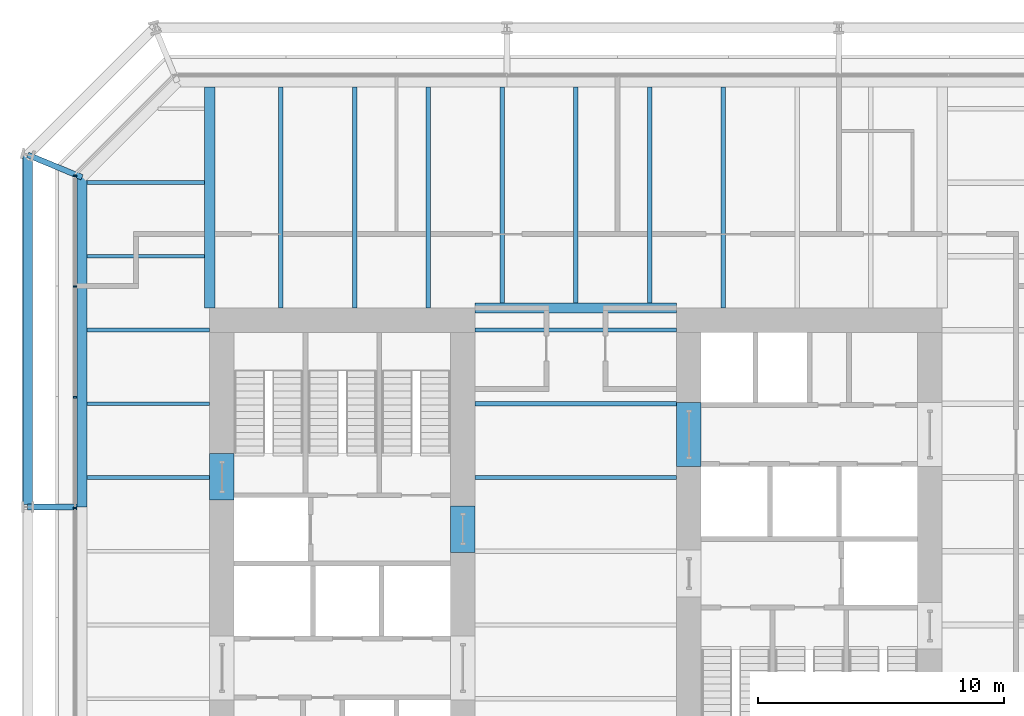
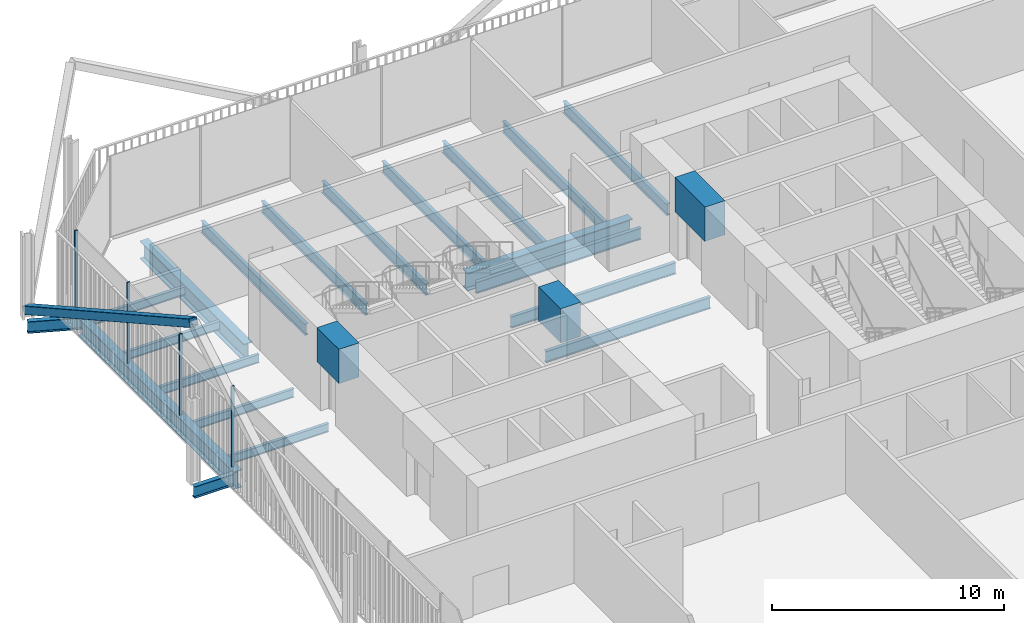
# One storey, part 11 of 21: 23 beams, 5 members, 1 element without a shape of its own.
"""IFC4 building model written with IfcOpenShell, lengths in metres."""

from ifc_helpers import new_model, si_unit, direction, frame, origin, origin_2d, place, context, subcontext, project, spatial, rectangle, hollow_rectangle, i_section, extrude, material, layer, layer_set, material_profile, profile_set, type_object, element, aggregate, save


model = new_model("IFC4")

# Units and contexts
model_context = context("Model", 3, precision=1e-05, world=origin(), true_north=direction((0.0, 1.0)))
body_context = subcontext(model_context, "Body", "Model", "MODEL_VIEW")
ifc_project = project(units=[si_unit("LENGTHUNIT", "METRE"), si_unit("AREAUNIT", "SQUARE_METRE"), si_unit("VOLUMEUNIT", "CUBIC_METRE"), si_unit("PLANEANGLEUNIT", "RADIAN"), si_unit("MASSUNIT", "GRAM", prefix="KILO")], contexts=[model_context])

# Site, building, storey
site_placement = place(None, origin())
site = spatial("IfcSite", under=ifc_project, at=site_placement, CompositionType="ELEMENT")
building_placement = place(site_placement, origin())
building = spatial("IfcBuilding", under=site, at=building_placement, Name="Millrace Tower", CompositionType="ELEMENT")
storey_placement = place(building_placement, frame((0.0, 0.0, 82.0)))
storey = spatial("IfcBuildingStorey", under=building, at=storey_placement, Name="L18", CompositionType="ELEMENT", Elevation=82.0)

# Curtain wall, members
ifc_material_1 = material(Name="Aluminium and glass", Category="aluminium")
ifc_layer = layer(ifc_material_1, 0.14990234375)
ifc_layer_set = layer_set([ifc_layer], Name="Aluminium and glass")
curtain_wall_type = type_object("IfcCurtainWallType", Name="CW-3 telecom floor curtain wall", PredefinedType="NOTDEFINED", material=ifc_layer_set)
curtain_wall_placement = place(storey_placement, origin())
curtain_wall = element("IfcCurtainWall", 1, at=curtain_wall_placement, inside=storey, type_object=curtain_wall_type, Name="Curtain wall B-F08 L18", PredefinedType="NOTDEFINED")
ifc_material_2 = material(Name="Aluminium", Category="aluminium")
ifc_material_profile_1 = material_profile(ifc_material_2, rectangle(XDim=0.06494140625, YDim=0.14990234375, at=origin_2d()))
ifc_profile_set_1 = profile_set([ifc_material_profile_1], Name="Aluminium")
member_type_1 = type_object("IfcMemberType", Name="CW-3 telecom floor curtain wall mullion", PredefinedType="MULLION", material=ifc_profile_set_1)
member_1_placement = place(storey_placement, frame((-20.375, 15.267578125, 0.14990234375), z_axis=(0.0, 0.0, 1.0), x_axis=(0.0, -1.0, 0.0)))
member_1 = element("IfcMember", 2, at=member_1_placement, type_object=member_type_1, Name="CW3 mullion B-F08.1", PredefinedType="MULLION", context=body_context, shape_type="SweptSolid", body=[
    extrude(rectangle(XDim=0.06494140625, YDim=0.14990234375, at=origin_2d()), origin(), (0.0, 0.0, 1.0), 4.25),
])
member_2_placement = place(storey_placement, frame((-20.375, 10.767578125, 0.14990234375), z_axis=(0.0, 0.0, 1.0), x_axis=(0.0, -1.0, 0.0)))
member_2 = element("IfcMember", 3, at=member_2_placement, type_object=member_type_1, Name="CW3 mullion B-F08.2", PredefinedType="MULLION", context=body_context, shape_type="SweptSolid", body=[
    extrude(rectangle(XDim=0.06494140625, YDim=0.14990234375, at=origin_2d()), origin(), (0.0, 0.0, 1.0), 4.25),
])
member_3_placement = place(storey_placement, frame((-20.375, 6.267578125, 0.14990234375), z_axis=(0.0, 0.0, 1.0), x_axis=(0.0, -1.0, 0.0)))
member_3 = element("IfcMember", 4, at=member_3_placement, type_object=member_type_1, Name="CW3 mullion B-F08.3", PredefinedType="MULLION", context=body_context, shape_type="SweptSolid", body=[
    extrude(rectangle(XDim=0.06494140625, YDim=0.14990234375, at=origin_2d()), origin(), (0.0, 0.0, 1.0), 4.25),
])
member_4_placement = place(storey_placement, frame((-20.375, 1.767578125, 0.14990234375), z_axis=(0.0, 0.0, 1.0), x_axis=(0.0, -1.0, 0.0)))
member_4 = element("IfcMember", 5, at=member_4_placement, type_object=member_type_1, Name="CW3 mullion B-F08.4", PredefinedType="MULLION", context=body_context, shape_type="SweptSolid", body=[
    extrude(rectangle(XDim=0.06494140625, YDim=0.14990234375, at=origin_2d()), origin(), (0.0, 0.0, 1.0), 4.25),
])
aggregate(curtain_wall, [member_1, member_2, member_3, member_4])

# Beams
ifc_material_3 = material(Name="Concrete C80", Category="concrete")
ifc_material_profile_2 = material_profile(ifc_material_3, rectangle(XDim=1.0, YDim=1.800048828125, at=origin_2d()))
ifc_profile_set_2 = profile_set([ifc_material_profile_2], Name="Concrete C80")
beam_type_1 = type_object("IfcBeamType", Name="Coupling beam 1000 x 1800 Concrete C80, 1300 opening", PredefinedType="BEAM", material=ifc_profile_set_2)
beam_1_placement = place(storey_placement, frame((-14.39990234375, 2.080078125, 3.300048828125), z_axis=(0.0, 1.0, 0.0), x_axis=(-1.0, 0.0, 0.0)))
element("IfcBeam", 6, at=beam_1_placement, inside=storey, type_object=beam_type_1, Name="Coupling beam W L18", PredefinedType="BEAM", context=body_context, shape_type="SweptSolid", body=[
    extrude(rectangle(XDim=1.0, YDim=1.800048828125, at=origin_2d()), origin(), (0.0, 0.0, 1.0), 1.89990234375),
])
beam_2_placement = place(storey_placement, frame((-4.60009765625, -0.050048828125, 3.300048828125), z_axis=(0.0, 1.0, 0.0), x_axis=(-1.0, 0.0, 0.0)))
element("IfcBeam", 7, at=beam_2_placement, inside=storey, type_object=beam_type_1, Name="Coupling beam W L18", PredefinedType="BEAM", context=body_context, shape_type="SweptSolid", body=[
    extrude(rectangle(XDim=1.0, YDim=1.800048828125, at=origin_2d()), origin(), (0.0, 0.0, 1.0), 1.900146484375),
])
ifc_material_4 = material(Name="Concrete C80", Category="concrete")
ifc_material_profile_3 = material_profile(ifc_material_4, rectangle(XDim=1.0, YDim=1.800048828125, at=origin_2d()))
ifc_profile_set_3 = profile_set([ifc_material_profile_3], Name="Concrete C80")
beam_type_2 = type_object("IfcBeamType", Name="Coupling beam 1000 x 1800 Concrete C80, 2000 opening", PredefinedType="BEAM", material=ifc_profile_set_3)
beam_3_placement = place(storey_placement, frame((4.60009765625, 6.050048828125, 3.300048828125), z_axis=(0.0, -1.0, 0.0), x_axis=(1.0, 0.0, 0.0)))
element("IfcBeam", 8, at=beam_3_placement, inside=storey, type_object=beam_type_2, Name="Coupling beam E L18", PredefinedType="BEAM", context=body_context, shape_type="SweptSolid", body=[
    extrude(rectangle(XDim=1.0, YDim=1.800048828125, at=origin_2d()), origin(), (0.0, 0.0, 1.0), 2.60009765625),
])

# Member
ifc_material_5 = material(Name="Steel ASTM A500 Grade C", Category="steel")
ifc_material_profile_4 = material_profile(ifc_material_5, hollow_rectangle(XDim=0.406494140625, YDim=0.406494140625, WallThickness=0.015869140625, InnerFilletRadius=0.008056640625, OuterFilletRadius=0.02392578125, at=origin_2d()))
ifc_profile_set_4 = profile_set([ifc_material_profile_4], Name="Steel ASTM A500 Grade C")
member_type_2 = type_object("IfcMemberType", Name="Exoskeleton brace HSS16x16x5/8", PredefinedType="BRACE", material=ifc_profile_set_4)
member_5_placement = place(storey_placement, frame((-22.300048828125, 16.12841796875, 0.39990234375), z_axis=(0.0, -0.873125840427, 0.487494888976), x_axis=(1.0, 0.0, 0.0)))
element("IfcMember", 9, at=member_5_placement, inside=storey, type_object=member_type_2, Name="BRC-B-L18-14", PredefinedType="BRACE", context=body_context, shape_type="SweptSolid", body=[
    extrude(hollow_rectangle(XDim=0.406494140625, YDim=0.406494140625, WallThickness=0.015869140625, InnerFilletRadius=0.008056640625, OuterFilletRadius=0.02392578125, at=origin_2d()), origin(), (0.0, 0.0, 1.0), 16.410400390625),
])

# Beams
ifc_material_6 = material(Name="Steel ASTM A992 Grade 50", Category="steel")
ifc_material_profile_5 = material_profile(ifc_material_6, i_section(OverallWidth=0.15234375, OverallDepth=0.449462890625, WebThickness=0.007568359375, FlangeThickness=0.0107421875, FilletRadius=0.01025390625, at=origin_2d()))
ifc_profile_set_5 = profile_set([ifc_material_profile_5], Name="Steel ASTM A992 Grade 50")
beam_type_3 = type_object("IfcBeamType", Name="Floor beam W18x35", PredefinedType="JOIST", material=ifc_profile_set_5)
for number, where, z_axis, x_axis, name in (
    (10, (-19.880859375, 3.0, -0.4248046875), (1.0, 0.0, 0.0), (0.0, 1.0, 0.0), "BM-B-L18-S1-S026"),
    (11, (-19.880859375, 6.0, -0.4248046875), (1.0, 0.0, 0.0), (0.0, 1.0, 0.0), "BM-B-L18-S1-S029"),
    (12, (-19.880859375, 9.0, -0.4248046875), (1.0, 0.0, 0.0), (0.0, 1.0, 0.0), "BM-B-L18-S1-S032"),
):
    element("IfcBeam", number, at=place(storey_placement, frame(where, z_axis=z_axis, x_axis=x_axis)), inside=storey, type_object=beam_type_3, Name=name, PredefinedType="JOIST", context=body_context, shape_type="SweptSolid", body=[
        extrude(i_section(OverallWidth=0.15234375, OverallDepth=0.449462890625, WebThickness=0.007568359375, FlangeThickness=0.0107421875, FilletRadius=0.01025390625, at=origin_2d()), origin(), (0.0, 0.0, 1.0), 4.98095703125),
    ])
for number, where, z_axis, x_axis, name in (
    (13, (-19.880859375, 12.0, -0.4248046875), (1.0, 0.0, 0.0), (0.0, 1.0, 0.0), "BM-B-L18-S1-S034"),
    (14, (-19.880859375, 15.0, -0.4248046875), (1.0, 0.0, 0.0), (0.0, 1.0, 0.0), "BM-B-L18-S1-S036"),
):
    element("IfcBeam", number, at=place(storey_placement, frame(where, z_axis=z_axis, x_axis=x_axis)), inside=storey, type_object=beam_type_3, Name=name, PredefinedType="JOIST", context=body_context, shape_type="SweptSolid", body=[
        extrude(i_section(OverallWidth=0.15234375, OverallDepth=0.449462890625, WebThickness=0.007568359375, FlangeThickness=0.0107421875, FilletRadius=0.01025390625, at=origin_2d()), origin(), (0.0, 0.0, 1.0), 4.77001953125),
    ])
ifc_material_7 = material(Name="Steel ASTM A992 Grade 50", Category="steel")
ifc_material_profile_6 = material_profile(ifc_material_7, i_section(OverallWidth=0.177978515625, OverallDepth=0.599365234375, WebThickness=0.010009765625, FlangeThickness=0.012939453125, FilletRadius=0.012939453125, at=origin_2d()))
ifc_profile_set_6 = profile_set([ifc_material_profile_6], Name="Steel ASTM A992 Grade 50")
beam_type_4 = type_object("IfcBeamType", Name="Floor beam W24x55", PredefinedType="JOIST", material=ifc_profile_set_6)
for number, where, z_axis, x_axis, name in (
    (15, (-4.10009765625, 3.0, -0.499755859375), (1.0, 0.0, 0.0), (0.0, 1.0, 0.0), "BM-B-L18-S1-S025"),
    (16, (-4.10009765625, 6.0, -0.499755859375), (1.0, 0.0, 0.0), (0.0, 1.0, 0.0), "BM-B-L18-S1-S028"),
    (17, (-4.10009765625, 9.0, -0.499755859375), (1.0, 0.0, 0.0), (0.0, 1.0, 0.0), "BM-B-L18-S1-S031"),
):
    element("IfcBeam", number, at=place(storey_placement, frame(where, z_axis=z_axis, x_axis=x_axis)), inside=storey, type_object=beam_type_4, Name=name, PredefinedType="JOIST", context=body_context, shape_type="SweptSolid", body=[
        extrude(i_section(OverallWidth=0.177978515625, OverallDepth=0.599365234375, WebThickness=0.010009765625, FlangeThickness=0.012939453125, FilletRadius=0.012939453125, at=origin_2d()), origin(), (0.0, 0.0, 1.0), 8.2001953125),
    ])
for number, where, z_axis, x_axis, name in (
    (18, (-12.0, 9.89990234375, -0.499755859375), (0.0, 1.0, 0.0), (-1.0, 0.0, 0.0), "BM-B-L18-S1-S040"),
    (19, (-9.0, 9.89990234375, -0.499755859375), (0.0, 1.0, 0.0), (-1.0, 0.0, 0.0), "BM-B-L18-S1-S042"),
    (20, (-6.0, 9.89990234375, -0.499755859375), (0.0, 1.0, 0.0), (-1.0, 0.0, 0.0), "BM-B-L18-S1-S044"),
):
    element("IfcBeam", number, at=place(storey_placement, frame(where, z_axis=z_axis, x_axis=x_axis)), inside=storey, type_object=beam_type_4, Name=name, PredefinedType="JOIST", context=body_context, shape_type="SweptSolid", body=[
        extrude(i_section(OverallWidth=0.177978515625, OverallDepth=0.599365234375, WebThickness=0.010009765625, FlangeThickness=0.012939453125, FilletRadius=0.012939453125, at=origin_2d()), origin(), (0.0, 0.0, 1.0), 8.98095703125),
    ])
for number, where, z_axis, x_axis, name in (
    (21, (-3.0, 10.11083984375, -0.499755859375), (0.0, 1.0, 0.0), (-1.0, 0.0, 0.0), "BM-B-L18-S1-S046"),
    (22, (0.0, 10.11083984375, -0.499755859375), (0.0, 1.0, 0.0), (-1.0, 0.0, 0.0), "BM-B-L18-S1-S048"),
    (23, (3.0, 10.11083984375, -0.499755859375), (0.0, 1.0, 0.0), (-1.0, 0.0, 0.0), "BM-B-L18-S1-S050"),
):
    element("IfcBeam", number, at=place(storey_placement, frame(where, z_axis=z_axis, x_axis=x_axis)), inside=storey, type_object=beam_type_4, Name=name, PredefinedType="JOIST", context=body_context, shape_type="SweptSolid", body=[
        extrude(i_section(OverallWidth=0.177978515625, OverallDepth=0.599365234375, WebThickness=0.010009765625, FlangeThickness=0.012939453125, FilletRadius=0.012939453125, at=origin_2d()), origin(), (0.0, 0.0, 1.0), 8.77001953125),
    ])
beam_4_placement = place(storey_placement, frame((6.0, 9.89990234375, -0.499755859375), z_axis=(0.0, 1.0, 0.0), x_axis=(-1.0, 0.0, 0.0)))
element("IfcBeam", 24, at=beam_4_placement, inside=storey, type_object=beam_type_4, Name="BM-B-L18-S1-S052", PredefinedType="JOIST", context=body_context, shape_type="SweptSolid", body=[
    extrude(i_section(OverallWidth=0.177978515625, OverallDepth=0.599365234375, WebThickness=0.010009765625, FlangeThickness=0.012939453125, FilletRadius=0.012939453125, at=origin_2d()), origin(), (0.0, 0.0, 1.0), 8.98095703125),
])
ifc_material_8 = material(Name="Steel ASTM A992 Grade 50", Category="steel")
ifc_material_profile_7 = material_profile(ifc_material_8, i_section(OverallWidth=0.421630859375, OverallDepth=0.937255859375, WebThickness=0.021240234375, FlangeThickness=0.03662109375, FilletRadius=0.024169921875, at=origin_2d()))
ifc_profile_set_7 = profile_set([ifc_material_profile_7], Name="Steel ASTM A992 Grade 50")
beam_type_5 = type_object("IfcBeamType", Name="Girder short span W36x262", PredefinedType="BEAM", material=ifc_profile_set_7)
beam_5_placement = place(storey_placement, frame((-14.89990234375, 9.89990234375, -0.668701171875), z_axis=(0.0, 1.0, 0.0), x_axis=(-1.0, 0.0, 0.0)))
element("IfcBeam", 25, at=beam_5_placement, inside=storey, type_object=beam_type_5, Name="BM-B-L18-S1-G058", PredefinedType="BEAM", context=body_context, shape_type="SweptSolid", body=[
    extrude(i_section(OverallWidth=0.421630859375, OverallDepth=0.937255859375, WebThickness=0.021240234375, FlangeThickness=0.03662109375, FilletRadius=0.024169921875, at=origin_2d()), origin(), (0.0, 0.0, 1.0), 8.98095703125),
])
beam_6_placement = place(storey_placement, frame((-4.10009765625, 9.89990234375, -0.668701171875), z_axis=(1.0, 0.0, 0.0), x_axis=(0.0, 1.0, 0.0)))
element("IfcBeam", 26, at=beam_6_placement, inside=storey, type_object=beam_type_5, Name="BM-B-L18-S1-G062", PredefinedType="BEAM", context=body_context, shape_type="SweptSolid", body=[
    extrude(i_section(OverallWidth=0.421630859375, OverallDepth=0.937255859375, WebThickness=0.021240234375, FlangeThickness=0.03662109375, FilletRadius=0.024169921875, at=origin_2d()), origin(), (0.0, 0.0, 1.0), 8.2001953125),
])
ifc_material_9 = material(Name="Steel ASTM A992 Grade 50", Category="steel")
ifc_material_profile_8 = material_profile(ifc_material_9, i_section(OverallWidth=0.23046875, OverallDepth=0.6171875, WebThickness=0.01318359375, FlangeThickness=0.022216796875, FilletRadius=0.012939453125, at=origin_2d()))
ifc_profile_set_8 = profile_set([ifc_material_profile_8], Name="Steel ASTM A992 Grade 50")
beam_type_6 = type_object("IfcBeamType", Name="Link beam W24x94", PredefinedType="BEAM", material=ifc_profile_set_8)
beam_7_placement = place(storey_placement, frame((-20.300048828125, 1.800048828125, -0.508544921875), z_axis=(-1.0, 0.0, 0.0), x_axis=(0.0, -1.0, 0.0)))
element("IfcBeam", 27, at=beam_7_placement, inside=storey, type_object=beam_type_6, Name="LNK-B-L18-S1-03", PredefinedType="BEAM", context=body_context, shape_type="SweptSolid", body=[
    extrude(i_section(OverallWidth=0.23046875, OverallDepth=0.6171875, WebThickness=0.01318359375, FlangeThickness=0.022216796875, FilletRadius=0.012939453125, at=origin_2d()), origin(), (0.0, 0.0, 1.0), 2.0),
])
beam_8_placement = place(storey_placement, frame((-20.09033203125, 15.213134765625, -0.508544921875), z_axis=(-0.923881226989, 0.382679341507, 0.0), x_axis=(-0.382679341507, -0.923881226989, 0.0)))
element("IfcBeam", 28, at=beam_8_placement, inside=storey, type_object=beam_type_6, Name="LNK-B-L18-S1-04", PredefinedType="BEAM", context=body_context, shape_type="SweptSolid", body=[
    extrude(i_section(OverallWidth=0.23046875, OverallDepth=0.6171875, WebThickness=0.01318359375, FlangeThickness=0.022216796875, FilletRadius=0.012939453125, at=origin_2d()), origin(), (0.0, 0.0, 1.0), 2.391845703125),
])
ifc_material_10 = material(Name="Steel ASTM A992 Grade 50", Category="steel")
ifc_material_profile_9 = material_profile(ifc_material_10, i_section(OverallWidth=0.419189453125, OverallDepth=0.927001953125, WebThickness=0.019287109375, FlangeThickness=0.031982421875, FilletRadius=0.024169921875, at=origin_2d()))
ifc_profile_set_9 = profile_set([ifc_material_profile_9], Name="Steel ASTM A992 Grade 50")
beam_type_7 = type_object("IfcBeamType", Name="Ring beam medium span W36x231", PredefinedType="SPANDREL", material=ifc_profile_set_9)
beam_9_placement = place(storey_placement, frame((-20.09033203125, 1.800048828125, -0.66357421875), z_axis=(0.0, 1.0, 0.0), x_axis=(-1.0, 0.0, 0.0)))
element("IfcBeam", 29, at=beam_9_placement, inside=storey, type_object=beam_type_7, Name="RNG-B-L18-S1-03", PredefinedType="SPANDREL", context=body_context, shape_type="SweptSolid", body=[
    extrude(i_section(OverallWidth=0.419189453125, OverallDepth=0.927001953125, WebThickness=0.019287109375, FlangeThickness=0.031982421875, FilletRadius=0.024169921875, at=origin_2d()), origin(), (0.0, 0.0, 1.0), 13.4130859375),
])

save(model, "model.ifc")
